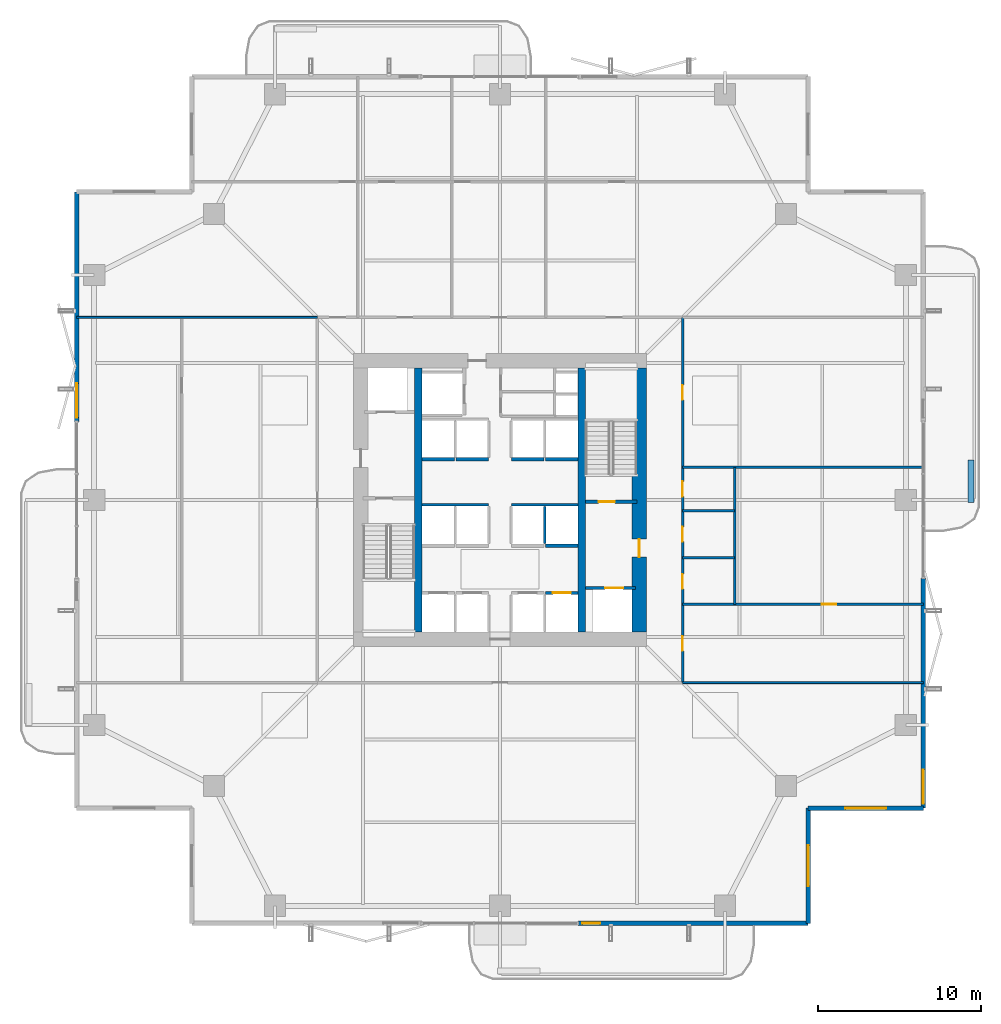
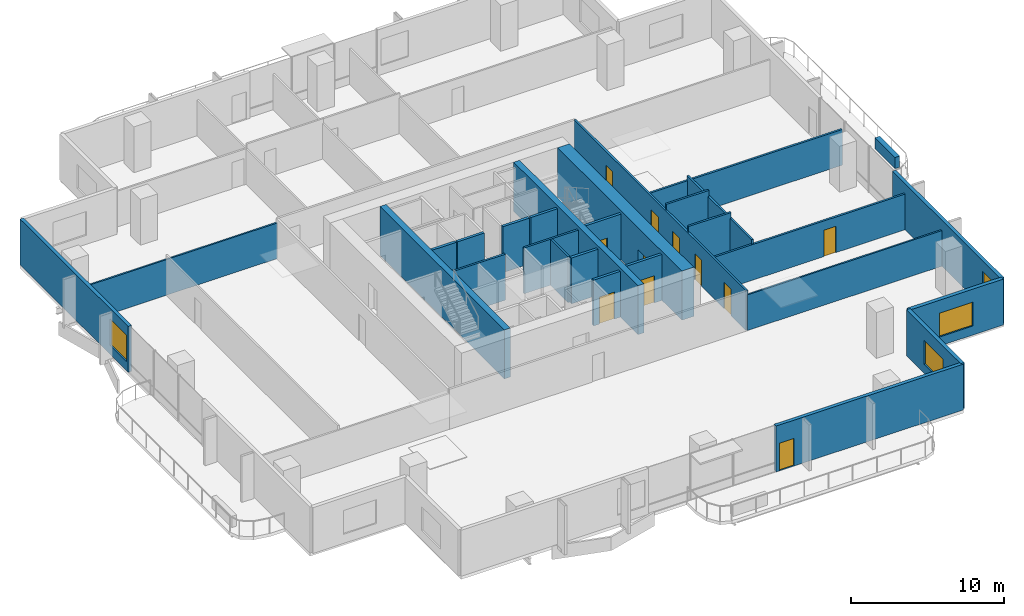
# One storey, part 18 of 24: 28 walls, 11 doors, 4 windows, 15 openings.
"""IFC4 building model written with IfcOpenShell, lengths in metres."""

from ifc_helpers import new_model, si_unit, direction, frame, frame_2d, origin, place, context, subcontext, project, spatial, rectangle, extrude, material, layer, layer_set, type_object, element, fill, save


model = new_model("IFC4")

# Units and contexts
model_context = context("Model", 3, precision=1e-05, world=origin(), true_north=direction((0.0, 1.0)))
body_context = subcontext(model_context, "Body", "Model", "MODEL_VIEW")
ifc_project = project(units=[si_unit("LENGTHUNIT", "METRE"), si_unit("AREAUNIT", "SQUARE_METRE"), si_unit("VOLUMEUNIT", "CUBIC_METRE"), si_unit("PLANEANGLEUNIT", "RADIAN"), si_unit("MASSUNIT", "GRAM", prefix="KILO")], contexts=[model_context])

# Site, building, storey
site_placement = place(None, origin())
site = spatial("IfcSite", under=ifc_project, at=site_placement, CompositionType="ELEMENT")
building_placement = place(site_placement, origin())
building = spatial("IfcBuilding", under=site, at=building_placement, Name="Belovzor Exchange Tower", CompositionType="ELEMENT")
storey_placement = place(building_placement, frame((0.0, 0.0, 129.0)))
storey = spatial("IfcBuildingStorey", under=building, at=storey_placement, Name="L31", CompositionType="ELEMENT", Elevation=129.0)

# Walls
ifc_material_1 = material(Name="Acoustic Plasterboard on Galvanised Studs", Category="gypsum")
ifc_layer_1 = layer(ifc_material_1, 0.1201171875)
ifc_layer_set_1 = layer_set([ifc_layer_1], Name="Acoustic Plasterboard on Galvanised Studs")
wall_type_1 = type_object("IfcWallType", Name="Acoustic Double-Stud Partition Wall 120", PredefinedType="PARTITIONING", material=ifc_layer_set_1)
for number, where, z_axis, x_axis, name in (
    (1, (40.0, 17.60009765625, 0.0), (0.0, 0.0, 1.0), (1.0, 0.0, 0.0), "W-P120 Partition Wall W-L31-END-SE"),
    (2, (2.830078125, 40.0, 0.0), (0.0, 0.0, 1.0), (1.0, 0.0, 0.0), "W-P120 Partition Wall W-L31-END-NW"),
):
    element("IfcWall", number, at=place(storey_placement, frame(where, z_axis=z_axis, x_axis=x_axis)), inside=storey, type_object=wall_type_1, Name=name, PredefinedType="PARTITIONING", context=body_context, shape_type="SweptSolid", body=[
        extrude(rectangle(XDim=14.77001953125, YDim=0.1201171875, at=frame_2d((7.385009765625, 0.0))), origin(), (0.0, 0.0, 1.0), 2.8349609375),
    ])
ifc_material_2 = material(Name="Fire-Rated Gypsum Block and Mineral Wool", Category="gypsum")
ifc_layer_2 = layer(ifc_material_2, 0.14990234375)
ifc_layer_set_2 = layer_set([ifc_layer_2], Name="Fire-Rated Gypsum Block and Mineral Wool")
wall_type_2 = type_object("IfcWallType", Name="Fire-Rated Gypsum Block Corridor Wall 150", PredefinedType="PARTITIONING", material=ifc_layer_set_2)
wall_1_placement = place(storey_placement, frame((43.199951171875, 22.39990234375, 0.0), z_axis=(0.0, 0.0, 1.0), x_axis=(0.0, 1.0, 0.0)))
element("IfcWall", 3, at=wall_1_placement, inside=storey, type_object=wall_type_2, Name="W-P150 Partition Wall W-L31-WCE", PredefinedType="PARTITIONING", context=body_context, shape_type="SweptSolid", body=[
    extrude(rectangle(XDim=8.400146484375, YDim=0.14990234375, at=frame_2d((4.2001953125, 0.0))), origin(), (0.0, 0.0, 1.0), 3.18505859375),
])

# Wall, opening, door
wall_2_placement = place(storey_placement, frame((40.0, 22.39990234375, 0.0), z_axis=(0.0, 0.0, 1.0), x_axis=(1.0, 0.0, 0.0)))
wall_2 = element("IfcWall", 4, at=wall_2_placement, inside=storey, type_object=wall_type_2, Name="W-P150 Partition Wall W-L31-WCS", PredefinedType="PARTITIONING", context=body_context, shape_type="SweptSolid", body=[
    extrude(rectangle(XDim=14.77001953125, YDim=0.14990234375, at=frame_2d((7.385009765625, 0.0))), origin(), (0.0, 0.0, 1.0), 2.8349609375),
])
opening_1_placement = place(wall_2_placement, frame((8.534912109375, 0.0, 0.0)))
opening_1 = element("IfcOpeningElement", 5, at=opening_1_placement, cuts=wall_2, Name="Opening D-INT-090", PredefinedType="OPENING", context=body_context, shape_type="SweptSolid", body=[
    extrude(rectangle(XDim=0.89990234375, YDim=2.10009765625, at=frame_2d((0.449951171875, 1.050048828125))), frame((0.0, 0.0849609375, 0.0), z_axis=(0.0, -1.0, 0.0), x_axis=(1.0, 0.0, 0.0)), (0.0, 0.0, 1.0), 0.169921875),
])
ifc_material_3 = material(Name="Veneered Hardwood Acoustic Leaf", Category="wood")
door_type_1 = type_object("IfcDoorType", Name="Trading Suite Acoustic Single Door 900x2100", OperationType="NOTDEFINED", PredefinedType="DOOR", material=ifc_material_3)
door_1_placement = place(opening_1_placement, origin())
door_1 = element("IfcDoor", 6, at=door_1_placement, inside=storey, type_object=door_type_1, Name="D-INT-090 Trading Suite Acoustic Single Door 900x2100", OperationType="SINGLE_SWING_LEFT", OverallHeight=2.10009765625, OverallWidth=0.89990234375, PredefinedType="DOOR", context=body_context, shape_type="SweptSolid", body=[
    extrude(rectangle(XDim=0.89990234375, YDim=2.10009765625, at=frame_2d((0.449951171875, 1.050048828125))), frame((0.0, 0.02490234375, 0.0), z_axis=(0.0, -1.0, 0.0), x_axis=(1.0, 0.0, 0.0)), (0.0, 0.0, 1.0), 0.050048828125),
])
fill(opening_1, door_1)

# Walls
wall_3_placement = place(storey_placement, frame((40.0, 30.800048828125, 0.0), z_axis=(0.0, 0.0, 1.0), x_axis=(1.0, 0.0, 0.0)))
element("IfcWall", 7, at=wall_3_placement, inside=storey, type_object=wall_type_2, Name="W-P150 Partition Wall W-L31-WCN", PredefinedType="PARTITIONING", context=body_context, shape_type="SweptSolid", body=[
    extrude(rectangle(XDim=14.77001953125, YDim=0.14990234375, at=frame_2d((7.385009765625, 0.0))), origin(), (0.0, 0.0, 1.0), 2.8349609375),
])
for number, where, z_axis, x_axis, name in (
    (8, (40.0, 25.25, 0.0), (0.0, 0.0, 1.0), (1.0, 0.0, 0.0), "W-P150 Partition Wall W-L31-WCD1"),
    (9, (40.0, 28.14990234375, 0.0), (0.0, 0.0, 1.0), (1.0, 0.0, 0.0), "W-P150 Partition Wall W-L31-WCD2"),
):
    element("IfcWall", number, at=place(storey_placement, frame(where, z_axis=z_axis, x_axis=x_axis)), inside=storey, type_object=wall_type_2, Name=name, PredefinedType="PARTITIONING", context=body_context, shape_type="SweptSolid", body=[
        extrude(rectangle(XDim=3.199951171875, YDim=0.14990234375, at=frame_2d((1.60009765625, 0.0))), origin(), (0.0, 0.0, 1.0), 3.64990234375),
    ])

# Wall, openings, doors
wall_4_placement = place(storey_placement, frame((40.0, 17.60009765625, 0.0), z_axis=(0.0, 0.0, 1.0), x_axis=(0.0, 1.0, 0.0)))
wall_4 = element("IfcWall", 10, at=wall_4_placement, inside=storey, type_object=wall_type_2, Name="W-P150 Partition Wall W-L31-CE", PredefinedType="PARTITIONING", context=body_context, shape_type="SweptSolid", body=[
    extrude(rectangle(XDim=22.39990234375, YDim=0.14990234375, at=frame_2d((11.199951171875, 0.0))), origin(), (0.0, 0.0, 1.0), 3.18505859375),
])
opening_2_placement = place(wall_4_placement, frame((1.949951171875, 0.0, 0.0)))
opening_2 = element("IfcOpeningElement", 11, at=opening_2_placement, cuts=wall_4, Name="Opening D-INT-090", PredefinedType="OPENING", context=body_context, shape_type="SweptSolid", body=[
    extrude(rectangle(XDim=0.89990234375, YDim=2.10009765625, at=frame_2d((0.449951171875, 1.050048828125))), frame((0.0, 0.0849609375, 0.0), z_axis=(0.0, -1.0, 0.0), x_axis=(1.0, 0.0, 0.0)), (0.0, 0.0, 1.0), 0.169921875),
])
opening_3_placement = place(wall_4_placement, frame((5.75, 0.0, 0.0)))
opening_3 = element("IfcOpeningElement", 12, at=opening_3_placement, cuts=wall_4, Name="Opening D-FD60-090", PredefinedType="OPENING", context=body_context, shape_type="SweptSolid", body=[
    extrude(rectangle(XDim=0.89990234375, YDim=2.10009765625, at=frame_2d((0.449951171875, 1.050048828125))), frame((0.0, 0.0849609375, 0.0), z_axis=(0.0, -1.0, 0.0), x_axis=(1.0, 0.0, 0.0)), (0.0, 0.0, 1.0), 0.169921875),
])
opening_4_placement = place(wall_4_placement, frame((8.64990234375, 0.0, 0.0)))
opening_4 = element("IfcOpeningElement", 13, at=opening_4_placement, cuts=wall_4, Name="Opening D-FD60-090", PredefinedType="OPENING", context=body_context, shape_type="SweptSolid", body=[
    extrude(rectangle(XDim=0.89990234375, YDim=2.10009765625, at=frame_2d((0.449951171875, 1.050048828125))), frame((0.0, 0.0849609375, 0.0), z_axis=(0.0, -1.0, 0.0), x_axis=(1.0, 0.0, 0.0)), (0.0, 0.0, 1.0), 0.169921875),
])
opening_5_placement = place(wall_4_placement, frame((11.39990234375, 0.0, 0.0)))
opening_5 = element("IfcOpeningElement", 14, at=opening_5_placement, cuts=wall_4, Name="Opening D-FD60-095", PredefinedType="OPENING", context=body_context, shape_type="SweptSolid", body=[
    extrude(rectangle(XDim=0.949951171875, YDim=2.10009765625, at=frame_2d((0.47509765625, 1.050048828125))), frame((0.0, 0.0849609375, 0.0), z_axis=(0.0, -1.0, 0.0), x_axis=(1.0, 0.0, 0.0)), (0.0, 0.0, 1.0), 0.169921875),
])
opening_6_placement = place(wall_4_placement, frame((17.35009765625, 0.0, 0.0)))
opening_6 = element("IfcOpeningElement", 15, at=opening_6_placement, cuts=wall_4, Name="Opening D-INT-090", PredefinedType="OPENING", context=body_context, shape_type="SweptSolid", body=[
    extrude(rectangle(XDim=0.89990234375, YDim=2.10009765625, at=frame_2d((0.449951171875, 1.050048828125))), frame((0.0, 0.0849609375, 0.0), z_axis=(0.0, -1.0, 0.0), x_axis=(1.0, 0.0, 0.0)), (0.0, 0.0, 1.0), 0.169921875),
])
ifc_material_4 = material(Name="Moisture-Resistant Timber Fire Leaf", Category="wood")
door_type_2 = type_object("IfcDoorType", Name="Accessible Restroom Wide Fire Door 950x2100", OperationType="NOTDEFINED", PredefinedType="DOOR", material=ifc_material_4)
door_2_placement = place(opening_5_placement, origin())
door_2 = element("IfcDoor", 16, at=door_2_placement, inside=storey, type_object=door_type_2, Name="D-FD60-095 Accessible Restroom Wide Fire Door 950x2100", OperationType="SINGLE_SWING_LEFT", OverallHeight=2.10009765625, OverallWidth=0.949951171875, PredefinedType="DOOR", context=body_context, shape_type="SweptSolid", body=[
    extrude(rectangle(XDim=0.949951171875, YDim=2.10009765625, at=frame_2d((0.47509765625, 1.050048828125))), frame((0.0, 0.02490234375, 0.0), z_axis=(0.0, -1.0, 0.0), x_axis=(1.0, 0.0, 0.0)), (0.0, 0.0, 1.0), 0.050048828125),
])
fill(opening_5, door_2)
ifc_material_5 = material(Name="Acoustic Timber Fire Leaf", Category="wood")
door_type_3 = type_object("IfcDoorType", Name="Core Service & Restroom Fire Door 900x2100", OperationType="NOTDEFINED", PredefinedType="DOOR", material=ifc_material_5)
door_3_placement = place(opening_3_placement, origin())
door_3 = element("IfcDoor", 17, at=door_3_placement, inside=storey, type_object=door_type_3, Name="D-FD60-090 Core Service & Restroom Fire Door 900x2100", OperationType="SINGLE_SWING_LEFT", OverallHeight=2.10009765625, OverallWidth=0.89990234375, PredefinedType="DOOR", context=body_context, shape_type="SweptSolid", body=[
    extrude(rectangle(XDim=0.89990234375, YDim=2.10009765625, at=frame_2d((0.449951171875, 1.050048828125))), frame((0.0, 0.02490234375, 0.0), z_axis=(0.0, -1.0, 0.0), x_axis=(1.0, 0.0, 0.0)), (0.0, 0.0, 1.0), 0.050048828125),
])
fill(opening_3, door_3)
door_4_placement = place(opening_4_placement, origin())
door_4 = element("IfcDoor", 18, at=door_4_placement, inside=storey, type_object=door_type_3, Name="D-FD60-090 Core Service & Restroom Fire Door 900x2100", OperationType="SINGLE_SWING_RIGHT", OverallHeight=2.10009765625, OverallWidth=0.89990234375, PredefinedType="DOOR", context=body_context, shape_type="SweptSolid", body=[
    extrude(rectangle(XDim=0.89990234375, YDim=2.10009765625, at=frame_2d((0.449951171875, 1.050048828125))), frame((0.0, 0.02490234375, 0.0), z_axis=(0.0, -1.0, 0.0), x_axis=(1.0, 0.0, 0.0)), (0.0, 0.0, 1.0), 0.050048828125),
])
fill(opening_4, door_4)
door_5_placement = place(opening_2_placement, origin())
door_5 = element("IfcDoor", 19, at=door_5_placement, inside=storey, type_object=door_type_1, Name="D-INT-090 Trading Suite Acoustic Single Door 900x2100", OperationType="SINGLE_SWING_LEFT", OverallHeight=2.10009765625, OverallWidth=0.89990234375, PredefinedType="DOOR", context=body_context, shape_type="SweptSolid", body=[
    extrude(rectangle(XDim=0.89990234375, YDim=2.10009765625, at=frame_2d((0.449951171875, 1.050048828125))), frame((0.0, 0.02490234375, 0.0), z_axis=(0.0, -1.0, 0.0), x_axis=(1.0, 0.0, 0.0)), (0.0, 0.0, 1.0), 0.050048828125),
])
fill(opening_2, door_5)
door_6_placement = place(opening_6_placement, origin())
door_6 = element("IfcDoor", 20, at=door_6_placement, inside=storey, type_object=door_type_1, Name="D-INT-090 Trading Suite Acoustic Single Door 900x2100", OperationType="SINGLE_SWING_RIGHT", OverallHeight=2.10009765625, OverallWidth=0.89990234375, PredefinedType="DOOR", context=body_context, shape_type="SweptSolid", body=[
    extrude(rectangle(XDim=0.89990234375, YDim=2.10009765625, at=frame_2d((0.449951171875, 1.050048828125))), frame((0.0, 0.02490234375, 0.0), z_axis=(0.0, -1.0, 0.0), x_axis=(1.0, 0.0, 0.0)), (0.0, 0.0, 1.0), 0.050048828125),
])
fill(opening_6, door_6)

# Wall, opening, window
ifc_material_6 = material(Name="Precast concrete C40/50", Category="concrete")
ifc_layer_3 = layer(ifc_material_6, 0.280029296875)
ifc_layer_set_3 = layer_set([ifc_layer_3], Name="Precast concrete C40/50")
wall_type_3 = type_object("IfcWallType", Name="Precast Concrete Notched Corner Frame Wall 280", PredefinedType="SOLIDWALL", material=ifc_layer_set_3)
wall_5_placement = place(storey_placement, frame((54.77001953125, 9.89990234375, 0.0), z_axis=(0.0, 0.0, 1.0), x_axis=(-1.0, 0.0, 0.0)))
wall_5 = element("IfcWall", 21, at=wall_5_placement, inside=storey, type_object=wall_type_3, Name="W-CRN280 Precast Concrete Notched Corner Frame Wall 280 L31", PredefinedType="SOLIDWALL", context=body_context, shape_type="SweptSolid", body=[
    extrude(rectangle(XDim=7.070068359375, YDim=0.280029296875, at=frame_2d((3.53515625, 0.0))), origin(), (0.0, 0.0, 1.0), 3.64990234375),
])
opening_7_placement = place(wall_5_placement, frame((2.284912109375, 0.0, 0.719970703125)))
opening_7 = element("IfcOpeningElement", 22, at=opening_7_placement, cuts=wall_5, Name="Opening WN-CRN250", PredefinedType="OPENING", context=body_context, shape_type="SweptSolid", body=[
    extrude(rectangle(XDim=2.5, YDim=1.89990234375, at=frame_2d((1.25, 0.949951171875))), frame((0.0, 0.14990234375, 0.0), z_axis=(0.0, -1.0, 0.0), x_axis=(1.0, 0.0, 0.0)), (0.0, 0.0, 1.0), 0.300048828125),
])
ifc_material_7 = material(Name="Thermally Broken Aluminium and Triple Glazing", Category="aluminium")
window_type_1 = type_object("IfcWindowType", Name="Streamline Moderne Corner Wrap Ribbon Window 2500x1900", PartitioningType="SINGLE_PANEL", PredefinedType="WINDOW", material=ifc_material_7)
window_1_placement = place(opening_7_placement, origin())
window_1 = element("IfcWindow", 23, at=window_1_placement, inside=storey, type_object=window_type_1, Name="WN-CRN250 Streamline Moderne Corner Wrap Ribbon Window 2500x1900", OverallHeight=1.89990234375, OverallWidth=2.5, PartitioningType="SINGLE_PANEL", PredefinedType="WINDOW", context=body_context, shape_type="SweptSolid", body=[
    extrude(rectangle(XDim=2.5, YDim=1.89990234375, at=frame_2d((1.25, 0.949951171875))), frame((0.0, 0.030029296875, 0.0), z_axis=(0.0, -1.0, 0.0), x_axis=(1.0, 0.0, 0.0)), (0.0, 0.0, 1.0), 0.06005859375),
])
fill(opening_7, window_1)

wall_6_placement = place(storey_placement, frame((47.699951171875, 9.89990234375, 0.0), z_axis=(0.0, 0.0, 1.0), x_axis=(0.0, -1.0, 0.0)))
wall_6 = element("IfcWall", 24, at=wall_6_placement, inside=storey, type_object=wall_type_3, Name="W-CRN280 Precast Concrete Notched Corner Frame Wall 280 L31", PredefinedType="SOLIDWALL", context=body_context, shape_type="SweptSolid", body=[
    extrude(rectangle(XDim=7.06982421875, YDim=0.280029296875, at=frame_2d((3.534912109375, 0.0))), origin(), (0.0, 0.0, 1.0), 3.64990234375),
])
opening_8_placement = place(wall_6_placement, frame((2.284912109375, 0.0, 0.719970703125)))
opening_8 = element("IfcOpeningElement", 25, at=opening_8_placement, cuts=wall_6, Name="Opening WN-CRN250", PredefinedType="OPENING", context=body_context, shape_type="SweptSolid", body=[
    extrude(rectangle(XDim=2.5, YDim=1.89990234375, at=frame_2d((1.25, 0.949951171875))), frame((0.0, 0.14990234375, 0.0), z_axis=(0.0, -1.0, 0.0), x_axis=(1.0, 0.0, 0.0)), (0.0, 0.0, 1.0), 0.300048828125),
])
window_2_placement = place(opening_8_placement, origin())
window_2 = element("IfcWindow", 26, at=window_2_placement, inside=storey, type_object=window_type_1, Name="WN-CRN250 Streamline Moderne Corner Wrap Ribbon Window 2500x1900", OverallHeight=1.89990234375, OverallWidth=2.5, PartitioningType="SINGLE_PANEL", PredefinedType="WINDOW", context=body_context, shape_type="SweptSolid", body=[
    extrude(rectangle(XDim=2.5, YDim=1.89990234375, at=frame_2d((1.25, 0.949951171875))), frame((0.0, 0.030029296875, 0.0), z_axis=(0.0, -1.0, 0.0), x_axis=(1.0, 0.0, 0.0)), (0.0, 0.0, 1.0), 0.06005859375),
])
fill(opening_8, window_2)

# Wall, opening, door
ifc_material_8 = material(Name="Precast concrete C40/50", Category="concrete")
ifc_layer_4 = layer(ifc_material_8, 0.260009765625)
ifc_layer_set_4 = layer_set([ifc_layer_4], Name="Precast concrete C40/50")
wall_type_4 = type_object("IfcWallType", Name="Precast Concrete Perimeter Loggia Frame Wall 260", PredefinedType="SOLIDWALL", material=ifc_layer_set_4)
wall_7_placement = place(storey_placement, frame((47.699951171875, 2.830078125, 0.0), z_axis=(0.0, 0.0, 1.0), x_axis=(-1.0, 0.0, 0.0)))
wall_7 = element("IfcWall", 27, at=wall_7_placement, inside=storey, type_object=wall_type_4, Name="W-EXT260 Precast Concrete Perimeter Loggia Frame Wall 260 L31", PredefinedType="SOLIDWALL", context=body_context, shape_type="SweptSolid", body=[
    extrude(rectangle(XDim=14.099853515625, YDim=0.260009765625, at=frame_2d((7.0498046875, 0.0))), origin(), (0.0, 0.0, 1.0), 3.64990234375),
])
opening_9_placement = place(wall_7_placement, frame((12.75, 0.0, 0.0)))
opening_9 = element("IfcOpeningElement", 28, at=opening_9_placement, cuts=wall_7, Name="Opening D-BAL110", PredefinedType="OPENING", context=body_context, shape_type="SweptSolid", body=[
    extrude(rectangle(XDim=1.10009765625, YDim=2.199951171875, at=frame_2d((0.550048828125, 1.10009765625))), frame((0.0, 0.139892578125, 0.0), z_axis=(0.0, -1.0, 0.0), x_axis=(1.0, 0.0, 0.0)), (0.0, 0.0, 1.0), 0.280029296875),
])
ifc_material_9 = material(Name="Thermally Broken Anodised Aluminium and Laminated Glass", Category="aluminium")
door_type_4 = type_object("IfcDoorType", Name="Planted Loggia Terrace Glazed Door 1100x2200", OperationType="SINGLE_SWING_LEFT", PredefinedType="DOOR", material=ifc_material_9)
door_7_placement = place(opening_9_placement, origin())
door_7 = element("IfcDoor", 29, at=door_7_placement, inside=storey, type_object=door_type_4, Name="D-BAL110 Balcony Terrace Door L31 S", OperationType="SINGLE_SWING_LEFT", OverallHeight=2.199951171875, OverallWidth=1.10009765625, PredefinedType="DOOR", context=body_context, shape_type="SweptSolid", body=[
    extrude(rectangle(XDim=1.10009765625, YDim=2.199951171875, at=frame_2d((0.550048828125, 1.10009765625))), frame((0.0, 0.02490234375, 0.0), z_axis=(0.0, -1.0, 0.0), x_axis=(1.0, 0.0, 0.0)), (0.0, 0.0, 1.0), 0.050048828125),
])
fill(opening_9, door_7)

# Wall, opening, window
wall_8_placement = place(storey_placement, frame((2.830078125, 33.60009765625, 0.0), z_axis=(0.0, 0.0, 1.0), x_axis=(0.0, 1.0, 0.0)))
wall_8 = element("IfcWall", 30, at=wall_8_placement, inside=storey, type_object=wall_type_4, Name="W-EXT260 Precast Concrete Perimeter Loggia Frame Wall 260 L31", PredefinedType="SOLIDWALL", context=body_context, shape_type="SweptSolid", body=[
    extrude(rectangle(XDim=14.099853515625, YDim=0.260009765625, at=frame_2d((7.0498046875, 0.0))), origin(), (0.0, 0.0, 1.0), 3.64990234375),
])
opening_10_placement = place(wall_8_placement, frame((0.25, 0.0, 0.719970703125)))
opening_10 = element("IfcOpeningElement", 31, at=opening_10_placement, cuts=wall_8, Name="Opening WN-LOG210", PredefinedType="OPENING", context=body_context, shape_type="SweptSolid", body=[
    extrude(rectangle(XDim=2.10009765625, YDim=2.10009765625, at=frame_2d((1.050048828125, 1.050048828125))), frame((0.0, 0.139892578125, 0.0), z_axis=(0.0, -1.0, 0.0), x_axis=(1.0, 0.0, 0.0)), (0.0, 0.0, 1.0), 0.280029296875),
])
ifc_material_10 = material(Name="Thermally Broken Aluminium and Triple Glazing", Category="aluminium")
window_type_2 = type_object("IfcWindowType", Name="Triple-Glazed Loggia Ribbon Window 2100x2100", PartitioningType="SINGLE_PANEL", PredefinedType="WINDOW", material=ifc_material_10)
window_3_placement = place(opening_10_placement, origin())
window_3 = element("IfcWindow", 32, at=window_3_placement, inside=storey, type_object=window_type_2, Name="WN-LOG210 Triple-Glazed Loggia Ribbon Window 2100x2100", OverallHeight=2.10009765625, OverallWidth=2.10009765625, PartitioningType="SINGLE_PANEL", PredefinedType="WINDOW", context=body_context, shape_type="SweptSolid", body=[
    extrude(rectangle(XDim=2.10009765625, YDim=2.10009765625, at=frame_2d((1.050048828125, 1.050048828125))), frame((0.0, 0.030029296875, 0.0), z_axis=(0.0, -1.0, 0.0), x_axis=(1.0, 0.0, 0.0)), (0.0, 0.0, 1.0), 0.06005859375),
])
fill(opening_10, window_3)

wall_9_placement = place(storey_placement, frame((54.77001953125, 24.0, 0.0), z_axis=(0.0, 0.0, 1.0), x_axis=(0.0, -1.0, 0.0)))
wall_9 = element("IfcWall", 33, at=wall_9_placement, inside=storey, type_object=wall_type_4, Name="W-EXT260 Precast Concrete Perimeter Loggia Frame Wall 260 L31", PredefinedType="SOLIDWALL", context=body_context, shape_type="SweptSolid", body=[
    extrude(rectangle(XDim=14.10009765625, YDim=0.260009765625, at=frame_2d((7.050048828125, 0.0))), origin(), (0.0, 0.0, 1.0), 3.64990234375),
])
opening_11_placement = place(wall_9_placement, frame((11.75, 0.0, 0.719970703125)))
opening_11 = element("IfcOpeningElement", 34, at=opening_11_placement, cuts=wall_9, Name="Opening WN-LOG210", PredefinedType="OPENING", context=body_context, shape_type="SweptSolid", body=[
    extrude(rectangle(XDim=2.10009765625, YDim=2.10009765625, at=frame_2d((1.050048828125, 1.050048828125))), frame((0.0, 0.139892578125, 0.0), z_axis=(0.0, -1.0, 0.0), x_axis=(1.0, 0.0, 0.0)), (0.0, 0.0, 1.0), 0.280029296875),
])
window_4_placement = place(opening_11_placement, origin())
window_4 = element("IfcWindow", 35, at=window_4_placement, inside=storey, type_object=window_type_2, Name="WN-LOG210 Triple-Glazed Loggia Ribbon Window 2100x2100", OverallHeight=2.10009765625, OverallWidth=2.10009765625, PartitioningType="SINGLE_PANEL", PredefinedType="WINDOW", context=body_context, shape_type="SweptSolid", body=[
    extrude(rectangle(XDim=2.10009765625, YDim=2.10009765625, at=frame_2d((1.050048828125, 1.050048828125))), frame((0.0, 0.030029296875, 0.0), z_axis=(0.0, -1.0, 0.0), x_axis=(1.0, 0.0, 0.0)), (0.0, 0.0, 1.0), 0.06005859375),
])
fill(opening_11, window_4)

# Walls
ifc_material_11 = material(Name="Precast concrete C40/50", Category="concrete")
ifc_layer_5 = layer(ifc_material_11, 0.35009765625)
ifc_layer_set_5 = layer_set([ifc_layer_5], Name="Precast concrete C40/50")
wall_type_5 = type_object("IfcWallType", Name="Precast Concrete Structural Tree Planter Trough 350", PredefinedType="PARAPET", material=ifc_layer_set_5)
wall_10_placement = place(storey_placement, frame((57.699951171875, 28.64990234375, 0.0), z_axis=(0.0, 0.0, 1.0), x_axis=(0.0, 1.0, 0.0)))
element("IfcWall", 36, at=wall_10_placement, inside=storey, type_object=wall_type_5, Name="PT-350 Precast Concrete Structural Tree Planter Trough 350 L31", PredefinedType="PARAPET", context=body_context, shape_type="SweptSolid", body=[
    extrude(rectangle(XDim=2.60009765625, YDim=0.35009765625, at=frame_2d((1.300048828125, 0.0))), origin(), (0.0, 0.0, 1.0), 0.89990234375),
])
ifc_material_12 = material(Name="Concrete C50/60", Category="concrete")
ifc_layer_6 = layer(ifc_material_12, 0.449951171875)
ifc_layer_set_6 = layer_set([ifc_layer_6], Name="Concrete C50/60")
wall_type_6 = type_object("IfcWallType", Name="Reinforced Concrete Core Internal Web Wall 450", PredefinedType="SHEAR", material=ifc_layer_set_6)
for number, where, z_axis, x_axis, name in (
    (37, (23.77490234375, 20.699951171875, 0.0), (0.0, 0.0, 1.0), (0.0, 1.0, 0.0), "CW-W045 Core Internal Web Wall L31 WL"),
    (38, (33.824951171875, 20.699951171875, 0.0), (0.0, 0.0, 1.0), (0.0, 1.0, 0.0), "CW-W045 Core Internal Web Wall L31 ER"),
):
    element("IfcWall", number, at=place(storey_placement, frame(where, z_axis=z_axis, x_axis=x_axis)), inside=storey, type_object=wall_type_6, Name=name, PredefinedType="SHEAR", context=body_context, shape_type="SweptSolid", body=[
        extrude(rectangle(XDim=16.199951171875, YDim=0.449951171875, at=frame_2d((8.10009765625, 0.0))), origin(), (0.0, 0.0, 1.0), 3.89990234375),
    ])
ifc_material_13 = material(Name="Concrete C50/60", Category="concrete")
ifc_layer_7 = layer(ifc_material_13, 0.14990234375)
ifc_layer_set_7 = layer_set([ifc_layer_7], Name="Concrete C50/60")
wall_type_7 = type_object("IfcWallType", Name="Reinforced Concrete Core Riser Shear Wall 150", PredefinedType="SHEAR", material=ifc_layer_set_7)
for number, where, z_axis, x_axis, name in (
    (39, (24.02001953125, 28.5, 0.0), (0.0, 0.0, 1.0), (1.0, 0.0, 0.0), "W-C150S Core Shaft Wall W-SHB-L31-PLM-NW"),
    (40, (29.5, 28.5, 0.0), (0.0, 0.0, 1.0), (1.0, 0.0, 0.0), "W-C150S Core Shaft Wall W-SHB-L31-PLM-NE"),
):
    element("IfcWall", number, at=place(storey_placement, frame(where, z_axis=z_axis, x_axis=x_axis)), inside=storey, type_object=wall_type_7, Name=name, PredefinedType="SHEAR", context=body_context, shape_type="SweptSolid", body=[
        extrude(rectangle(XDim=4.080078125, YDim=0.14990234375, at=frame_2d((2.0400390625, 0.0))), origin(), (0.0, 0.0, 1.0), 3.64990234375),
    ])
wall_11_placement = place(storey_placement, frame((31.550048828125, 26.1201171875, 0.0), z_axis=(0.0, 0.0, 1.0), x_axis=(0.0, 1.0, 0.0)))
element("IfcWall", 41, at=wall_11_placement, inside=storey, type_object=wall_type_7, Name="W-C150S Core Shaft Wall W-SHD-L31-PLM-4", PredefinedType="SHEAR", context=body_context, shape_type="SweptSolid", body=[
    extrude(rectangle(XDim=2.27978515625, YDim=0.14990234375, at=frame_2d((1.139892578125, 0.0))), origin(), (0.0, 0.0, 1.0), 3.64990234375),
])

# Wall, opening, door
ifc_material_14 = material(Name="Concrete C50/60", Category="concrete")
ifc_layer_8 = layer(ifc_material_14, 0.199951171875)
ifc_layer_set_8 = layer_set([ifc_layer_8], Name="Concrete C50/60")
wall_type_8 = type_object("IfcWallType", Name="Reinforced Concrete Core Shaft Shear Wall 200", PredefinedType="SHEAR", material=ifc_layer_set_8)
wall_12_placement = place(storey_placement, frame((34.050048828125, 28.699951171875, 0.0), z_axis=(0.0, 0.0, 1.0), x_axis=(1.0, 0.0, 0.0)))
wall_12 = element("IfcWall", 42, at=wall_12_placement, inside=storey, type_object=wall_type_8, Name="W-C200S Core Shaft Wall W-CORE-L31-FFLE2", PredefinedType="SHEAR", context=body_context, shape_type="SweptSolid", body=[
    extrude(rectangle(XDim=3.14990234375, YDim=0.199951171875, at=frame_2d((1.574951171875, 0.0))), origin(), (0.0, 0.0, 1.0), 3.64990234375),
])
opening_12_placement = place(wall_12_placement, frame((0.800048828125, 0.0, 0.0)))
opening_12 = element("IfcOpeningElement", 43, at=opening_12_placement, cuts=wall_12, Name="Opening D-FD90-100", PredefinedType="OPENING", context=body_context, shape_type="SweptSolid", body=[
    extrude(rectangle(XDim=1.0, YDim=2.10009765625, at=frame_2d((0.5, 1.050048828125))), frame((0.0, 0.10986328125, 0.0), z_axis=(0.0, -1.0, 0.0), x_axis=(1.0, 0.0, 0.0)), (0.0, 0.0, 1.0), 0.219970703125),
])
ifc_material_15 = material(Name="Fire-Rated Galvanised Steel Leaf", Category="steel")
door_type_5 = type_object("IfcDoorType", Name="Protected Stairwell Single Fire Door 1000x2100", OperationType="NOTDEFINED", PredefinedType="DOOR", material=ifc_material_15)
door_8_placement = place(opening_12_placement, origin())
door_8 = element("IfcDoor", 44, at=door_8_placement, inside=storey, type_object=door_type_5, Name="D-FD90-100 Protected Stairwell Single Fire Door 1000x2100", OperationType="SINGLE_SWING_LEFT", OverallHeight=2.10009765625, OverallWidth=1.0, PredefinedType="DOOR", context=body_context, shape_type="SweptSolid", body=[
    extrude(rectangle(XDim=1.0, YDim=2.10009765625, at=frame_2d((0.5, 1.050048828125))), frame((0.0, 0.02490234375, 0.0), z_axis=(0.0, -1.0, 0.0), x_axis=(1.0, 0.0, 0.0)), (0.0, 0.0, 1.0), 0.050048828125),
])
fill(opening_12, door_8)

wall_13_placement = place(storey_placement, frame((34.050048828125, 23.39990234375, 0.0), z_axis=(0.0, 0.0, 1.0), x_axis=(1.0, 0.0, 0.0)))
wall_13 = element("IfcWall", 45, at=wall_13_placement, inside=storey, type_object=wall_type_8, Name="W-C200S Core Shaft Wall W-SH-L31-FFL-02", PredefinedType="SHEAR", context=body_context, shape_type="SweptSolid", body=[
    extrude(rectangle(XDim=3.050048828125, YDim=0.199951171875, at=frame_2d((1.52490234375, 0.0))), origin(), (0.0, 0.0, 1.0), 3.64990234375),
])
opening_13_placement = place(wall_13_placement, frame((1.199951171875, 0.0, 0.0)))
opening_13 = element("IfcOpeningElement", 46, at=opening_13_placement, cuts=wall_13, Name="Opening LD-110", PredefinedType="OPENING", context=body_context, shape_type="SweptSolid", body=[
    extrude(rectangle(XDim=1.10009765625, YDim=2.14990234375, at=frame_2d((0.550048828125, 1.074951171875))), frame((0.0, 0.10986328125, 0.0), z_axis=(0.0, -1.0, 0.0), x_axis=(1.0, 0.0, 0.0)), (0.0, 0.0, 1.0), 0.219970703125),
])
ifc_material_16 = material(Name="Stainless Steel Grade 304", Category="steel")
door_type_6 = type_object("IfcDoorType", Name="Automated Stainless Steel Lift Landing Door 1100x2150", OperationType="SLIDING_TO_RIGHT", PredefinedType="DOOR", material=ifc_material_16)
door_9_placement = place(opening_13_placement, origin())
door_9 = element("IfcDoor", 47, at=door_9_placement, inside=storey, type_object=door_type_6, Name="LD-110 Automated Stainless Steel Lift Landing Door 1100x2150", OperationType="SLIDING_TO_RIGHT", OverallHeight=2.14990234375, OverallWidth=1.10009765625, PredefinedType="DOOR", context=body_context, shape_type="SweptSolid", body=[
    extrude(rectangle(XDim=1.10009765625, YDim=2.14990234375, at=frame_2d((0.550048828125, 1.074951171875))), frame((0.0, 0.02490234375, 0.0), z_axis=(0.0, -1.0, 0.0), x_axis=(1.0, 0.0, 0.0)), (0.0, 0.0, 1.0), 0.050048828125),
])
fill(opening_13, door_9)

wall_14_placement = place(storey_placement, frame((31.60009765625, 23.10009765625, 0.0), z_axis=(0.0, 0.0, 1.0), x_axis=(1.0, 0.0, 0.0)))
wall_14 = element("IfcWall", 48, at=wall_14_placement, inside=storey, type_object=wall_type_8, Name="W-C200S Core Shaft Wall W-SH-L31-PL-L4", PredefinedType="SHEAR", context=body_context, shape_type="SweptSolid", body=[
    extrude(rectangle(XDim=2.0, YDim=0.199951171875, at=frame_2d((1.0, 0.0))), origin(), (0.0, 0.0, 1.0), 3.64990234375),
])
opening_14_placement = place(wall_14_placement, frame((0.449951171875, 0.0, 0.0)))
opening_14 = element("IfcOpeningElement", 49, at=opening_14_placement, cuts=wall_14, Name="Opening LD-110", PredefinedType="OPENING", context=body_context, shape_type="SweptSolid", body=[
    extrude(rectangle(XDim=1.10009765625, YDim=2.14990234375, at=frame_2d((0.550048828125, 1.074951171875))), frame((0.0, 0.10986328125, 0.0), z_axis=(0.0, -1.0, 0.0), x_axis=(1.0, 0.0, 0.0)), (0.0, 0.0, 1.0), 0.219970703125),
])
door_10_placement = place(opening_14_placement, origin())
door_10 = element("IfcDoor", 50, at=door_10_placement, inside=storey, type_object=door_type_6, Name="LD-110 Automated Stainless Steel Lift Landing Door 1100x2150", OperationType="SLIDING_TO_RIGHT", OverallHeight=2.14990234375, OverallWidth=1.10009765625, PredefinedType="DOOR", context=body_context, shape_type="SweptSolid", body=[
    extrude(rectangle(XDim=1.10009765625, YDim=2.14990234375, at=frame_2d((0.550048828125, 1.074951171875))), frame((0.0, 0.02490234375, 0.0), z_axis=(0.0, -1.0, 0.0), x_axis=(1.0, 0.0, 0.0)), (0.0, 0.0, 1.0), 0.050048828125),
])
fill(opening_14, door_10)

# Walls
for number, where, z_axis, x_axis, name in (
    (51, (31.60009765625, 26.0, 0.0), (0.0, 0.0, 1.0), (1.0, 0.0, 0.0), "W-C200S Core Shaft Wall W-SH-L31-PL-M4"),
    (52, (24.0, 31.300048828125, 0.0), (0.0, 0.0, 1.0), (1.0, 0.0, 0.0), "W-C200S Core Shaft Wall W-SH-L31-PL-H1"),
    (53, (26.10009765625, 31.300048828125, 0.0), (0.0, 0.0, 1.0), (1.0, 0.0, 0.0), "W-C200S Core Shaft Wall W-SH-L31-PL-H2"),
    (54, (29.5, 31.300048828125, 0.0), (0.0, 0.0, 1.0), (1.0, 0.0, 0.0), "W-C200S Core Shaft Wall W-SH-L31-PL-H3"),
    (55, (31.60009765625, 31.300048828125, 0.0), (0.0, 0.0, 1.0), (1.0, 0.0, 0.0), "W-C200S Core Shaft Wall W-SH-L31-PL-H4"),
):
    element("IfcWall", number, at=place(storey_placement, frame(where, z_axis=z_axis, x_axis=x_axis)), inside=storey, type_object=wall_type_8, Name=name, PredefinedType="SHEAR", context=body_context, shape_type="SweptSolid", body=[
        extrude(rectangle(XDim=2.0, YDim=0.199951171875, at=frame_2d((1.0, 0.0))), origin(), (0.0, 0.0, 1.0), 3.64990234375),
    ])

# Wall, opening, door
ifc_material_17 = material(Name="Concrete C60/75", Category="concrete")
ifc_layer_9 = layer(ifc_material_17, 0.89990234375)
ifc_layer_set_9 = layer_set([ifc_layer_9], Name="Concrete C60/75")
wall_type_9 = type_object("IfcWallType", Name="Reinforced Concrete Core Shear Wall 900", PredefinedType="SHEAR", material=ifc_layer_set_9)
wall_15_placement = place(storey_placement, frame((37.35009765625, 20.699951171875, 0.0), z_axis=(0.0, 0.0, 1.0), x_axis=(0.0, 1.0, 0.0)))
wall_15 = element("IfcWall", 56, at=wall_15_placement, inside=storey, type_object=wall_type_9, Name="CW-S090 Core Shear Wall L31 E", PredefinedType="SHEAR", context=body_context, shape_type="SweptSolid", body=[
    extrude(rectangle(XDim=16.199951171875, YDim=0.89990234375, at=frame_2d((8.10009765625, 0.0))), origin(), (0.0, 0.0, 1.0), 3.89990234375),
])
opening_15_placement = place(wall_15_placement, frame((4.60009765625, 0.0, 0.0)))
opening_15 = element("IfcOpeningElement", 57, at=opening_15_placement, cuts=wall_15, Name="Opening D-FD90-110", PredefinedType="OPENING", context=body_context, shape_type="SweptSolid", body=[
    extrude(rectangle(XDim=1.10009765625, YDim=2.14990234375, at=frame_2d((0.550048828125, 1.074951171875))), frame((0.0, 0.4599609375, 0.0), z_axis=(0.0, -1.0, 0.0), x_axis=(1.0, 0.0, 0.0)), (0.0, 0.0, 1.0), 0.919921875),
])
ifc_material_18 = material(Name="Fire-Rated Galvanised Steel Leaf", Category="steel")
door_type_7 = type_object("IfcDoorType", Name="Protected Escape Vestibule Fire Door 1100x2150", OperationType="NOTDEFINED", PredefinedType="DOOR", material=ifc_material_18)
door_11_placement = place(opening_15_placement, origin())
door_11 = element("IfcDoor", 58, at=door_11_placement, inside=storey, type_object=door_type_7, Name="D-FD90-110 Protected Escape Vestibule Fire Door 1100x2150", OperationType="SINGLE_SWING_RIGHT", OverallHeight=2.14990234375, OverallWidth=1.10009765625, PredefinedType="DOOR", context=body_context, shape_type="SweptSolid", body=[
    extrude(rectangle(XDim=1.10009765625, YDim=2.14990234375, at=frame_2d((0.550048828125, 1.074951171875))), frame((0.0, 0.02490234375, 0.0), z_axis=(0.0, -1.0, 0.0), x_axis=(1.0, 0.0, 0.0)), (0.0, 0.0, 1.0), 0.050048828125),
])
fill(opening_15, door_11)

save(model, "model.ifc")
